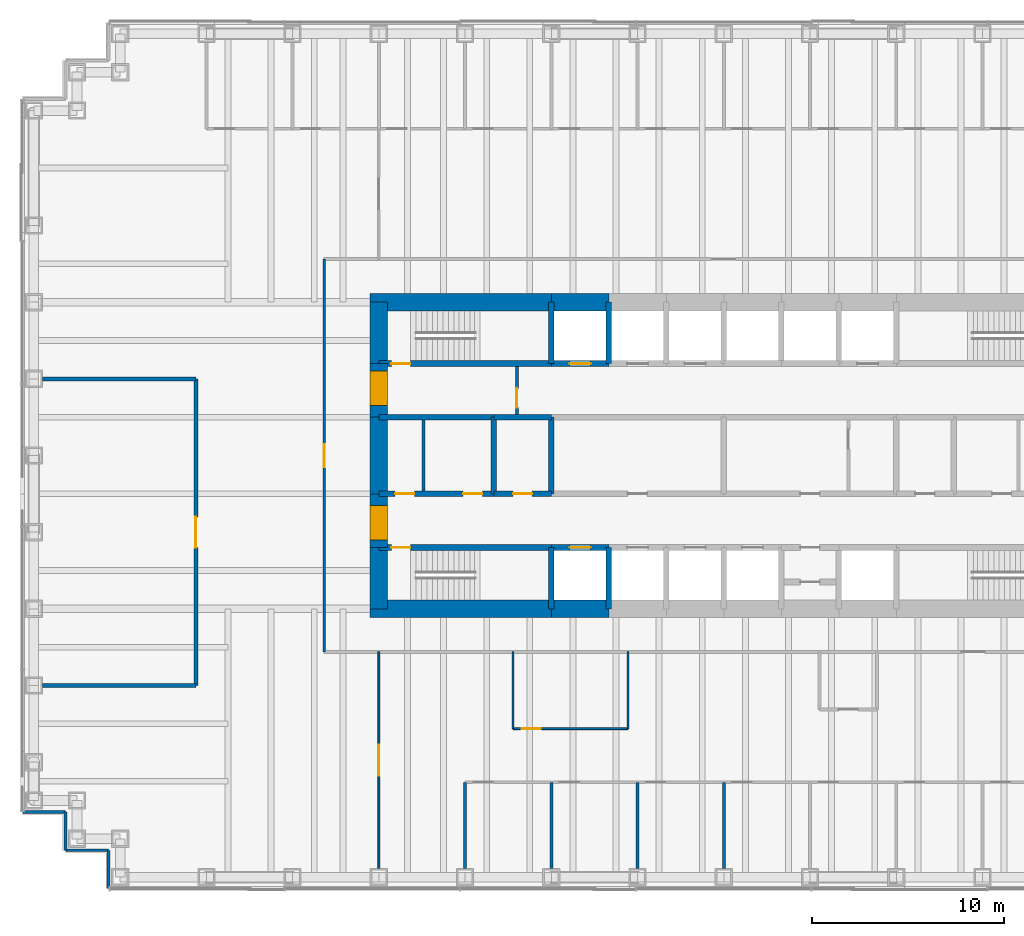
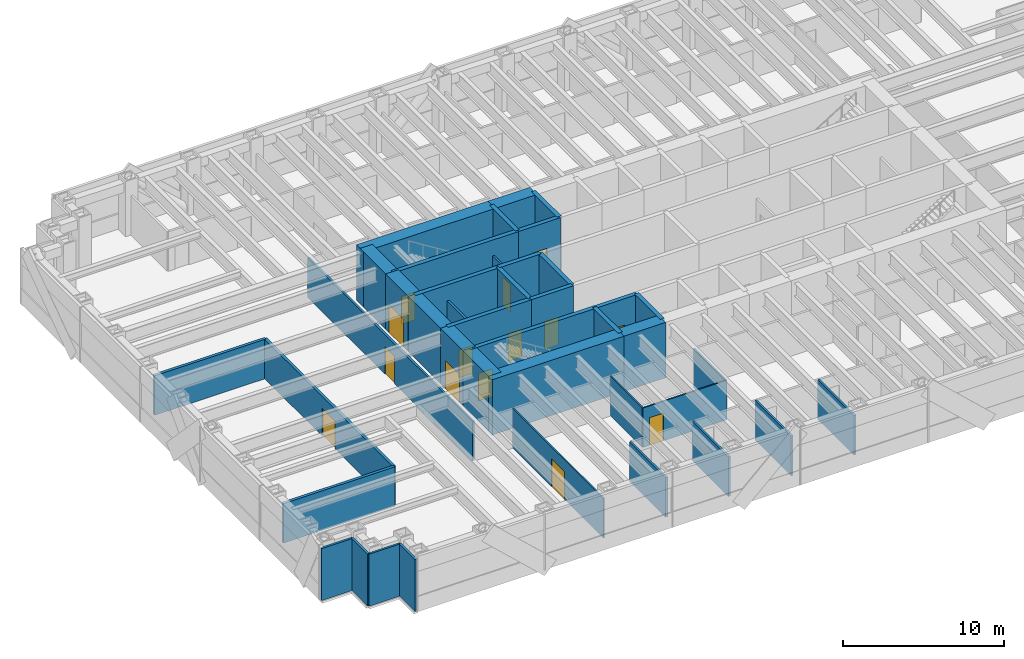
# One storey, part 11 of 16: 41 walls, 14 doors, 14 openings.
"""IFC4 building model written with IfcOpenShell, lengths in metres."""

from ifc_helpers import new_model, si_unit, direction, frame, frame_2d, origin, place, context, subcontext, project, spatial, rectangle, extrude, material, layer, layer_set, type_object, element, fill, save


model = new_model("IFC4")

# Units and contexts
model_context = context("Model", 3, precision=1e-05, world=origin(), true_north=direction((0.0, 1.0)))
body_context = subcontext(model_context, "Body", "Model", "MODEL_VIEW")
ifc_project = project(units=[si_unit("LENGTHUNIT", "METRE"), si_unit("AREAUNIT", "SQUARE_METRE"), si_unit("VOLUMEUNIT", "CUBIC_METRE"), si_unit("PLANEANGLEUNIT", "RADIAN"), si_unit("MASSUNIT", "GRAM", prefix="KILO")], contexts=[model_context])

# Site, building, storey
site_placement = place(None, origin())
site = spatial("IfcSite", under=ifc_project, at=site_placement, CompositionType="ELEMENT")
building_placement = place(site_placement, origin())
building = spatial("IfcBuilding", under=site, at=building_placement, Name="Rheinbord Bourse Tower", CompositionType="ELEMENT")
storey_placement = place(building_placement, frame((0.0, 0.0, 176.10009765625)))
storey = spatial("IfcBuildingStorey", under=building, at=storey_placement, Name="L39", CompositionType="ELEMENT", Elevation=176.10009765625)

# Walls
ifc_material_1 = material(Name="Acoustic gypsum board partition", Category="gypsum board")
ifc_layer_1 = layer(ifc_material_1, 0.199951171875)
ifc_layer_set_1 = layer_set([ifc_layer_1], Name="ACOUSTIC PARTITION 200")
wall_type_1 = type_object("IfcWallType", Name="ACOUSTIC PARTITION 200", PredefinedType="PARTITIONING", material=ifc_layer_set_1)
for number, where, z_axis, x_axis, name in (
    (1, (0.449951171875, 12.0, 0.0), (0.0, 0.0, 1.0), (1.0, 0.0, 0.0), "Partition L39-04"),
    (2, (0.449951171875, 28.0, 0.0), (0.0, 0.0, 1.0), (1.0, 0.0, 0.0), "Partition L39-10"),
):
    element("IfcWall", number, at=place(storey_placement, frame(where, z_axis=z_axis, x_axis=x_axis)), inside=storey, type_object=wall_type_1, Name=name, PredefinedType="PARTITIONING", context=body_context, shape_type="SweptSolid", body=[
        extrude(rectangle(XDim=8.0, YDim=0.199951171875, at=frame_2d((4.0, 0.0))), origin(), (0.0, 0.0, 1.0), 3.0),
    ])

# Wall, opening, door
wall_1_placement = place(storey_placement, frame((8.449951171875, 12.0, 0.0), z_axis=(0.0, 0.0, 1.0), x_axis=(0.0, 1.0, 0.0)))
wall_1 = element("IfcWall", 3, at=wall_1_placement, inside=storey, type_object=wall_type_1, Name="Partition L39-15", PredefinedType="PARTITIONING", context=body_context, shape_type="SweptSolid", body=[
    extrude(rectangle(XDim=16.0, YDim=0.199951171875, at=frame_2d((8.0, 0.0))), origin(), (0.0, 0.0, 1.0), 3.0),
])
opening_1_placement = place(wall_1_placement, frame((7.199951171875, 0.0, 0.0)))
opening_1 = element("IfcOpeningElement", 4, at=opening_1_placement, cuts=wall_1, Name="Opening 39D12", PredefinedType="OPENING", context=body_context, shape_type="SweptSolid", body=[
    extrude(rectangle(XDim=1.60009765625, YDim=2.10009765625, at=frame_2d((0.800048828125, 1.050048828125))), frame((0.0, 0.10986328125, 0.0), z_axis=(0.0, -1.0, 0.0), x_axis=(1.0, 0.0, 0.0)), (0.0, 0.0, 1.0), 0.219970703125),
])
ifc_material_2 = material(Name="Timber door", Category="wood")
door_type_1 = type_object("IfcDoorType", Name="DOUBLE ROOM DOOR 1600", OperationType="DOUBLE_DOOR_DOUBLE_SWING", PredefinedType="DOOR", material=ifc_material_2)
door_1_placement = place(opening_1_placement, origin())
door_1 = element("IfcDoor", 5, at=door_1_placement, inside=storey, type_object=door_type_1, Name="Hearing room door L39", OperationType="SINGLE_SWING_LEFT", OverallHeight=2.10009765625, OverallWidth=1.60009765625, PredefinedType="DOOR", context=body_context, shape_type="SweptSolid", body=[
    extrude(rectangle(XDim=1.60009765625, YDim=2.10009765625, at=frame_2d((0.800048828125, 1.050048828125))), frame((0.0, 0.02490234375, 0.0), z_axis=(0.0, -1.0, 0.0), x_axis=(1.0, 0.0, 0.0)), (0.0, 0.0, 1.0), 0.050048828125),
])
fill(opening_1, door_1)

ifc_material_3 = material(Name="Concrete C50/60", Category="concrete")
ifc_layer_2 = layer(ifc_material_3, 0.300048828125)
ifc_layer_set_2 = layer_set([ifc_layer_2], Name="CORE INNER WALL 300")
wall_type_2 = type_object("IfcWallType", Name="CORE INNER WALL 300", PredefinedType="SOLIDWALL", material=ifc_layer_set_2)
wall_2_placement = place(storey_placement, frame((18.0, 19.199951171875, 0.0), z_axis=(0.0, 0.0, 1.0), x_axis=(1.0, 0.0, 0.0)))
wall_2 = element("IfcWall", 6, at=wall_2_placement, inside=storey, type_object=wall_type_2, Name="Core wall A1 L39", PredefinedType="SOLIDWALL", context=body_context, shape_type="SweptSolid", body=[
    extrude(rectangle(XDim=9.0, YDim=0.300048828125, at=frame_2d((4.5, 0.0))), origin(), (0.0, 0.0, 1.0), 4.199951171875),
])
opening_2_placement = place(wall_2_placement, frame((0.64990234375, 0.0, 0.0)))
opening_2 = element("IfcOpeningElement", 7, at=opening_2_placement, cuts=wall_2, Name="Opening 3910", PredefinedType="OPENING", context=body_context, shape_type="SweptSolid", body=[
    extrude(rectangle(XDim=1.0, YDim=2.10009765625, at=frame_2d((0.5, 1.050048828125))), frame((0.0, 0.159912109375, 0.0), z_axis=(0.0, -1.0, 0.0), x_axis=(1.0, 0.0, 0.0)), (0.0, 0.0, 1.0), 0.320068359375),
])
ifc_material_4 = material(Name="Steel door", Category="steel")
door_type_2 = type_object("IfcDoorType", Name="DOOR 1000 EI30", OperationType="SINGLE_SWING_LEFT", PredefinedType="DOOR", material=ifc_material_4)
door_2_placement = place(opening_2_placement, origin())
door_2 = element("IfcDoor", 8, at=door_2_placement, inside=storey, type_object=door_type_2, Name="Stair door ST1 L39", OperationType="SINGLE_SWING_LEFT", OverallHeight=2.10009765625, OverallWidth=1.0, PredefinedType="DOOR", context=body_context, shape_type="SweptSolid", body=[
    extrude(rectangle(XDim=1.0, YDim=2.10009765625, at=frame_2d((0.5, 1.050048828125))), frame((0.0, 0.02490234375, 0.0), z_axis=(0.0, -1.0, 0.0), x_axis=(1.0, 0.0, 0.0)), (0.0, 0.0, 1.0), 0.050048828125),
])
fill(opening_2, door_2)

wall_3_placement = place(storey_placement, frame((27.0, 19.199951171875, 0.0), z_axis=(0.0, 0.0, 1.0), x_axis=(1.0, 0.0, 0.0)))
wall_3 = element("IfcWall", 9, at=wall_3_placement, inside=storey, type_object=wall_type_2, Name="Core wall A2 L39", PredefinedType="SOLIDWALL", context=body_context, shape_type="SweptSolid", body=[
    extrude(rectangle(XDim=3.0, YDim=0.300048828125, at=frame_2d((1.5, 0.0))), origin(), (0.0, 0.0, 1.0), 4.199951171875),
])
opening_3_placement = place(wall_3_placement, frame((0.949951171875, 0.0, 0.0)))
opening_3 = element("IfcOpeningElement", 10, at=opening_3_placement, cuts=wall_3, Name="Opening FL1", PredefinedType="OPENING", context=body_context, shape_type="SweptSolid", body=[
    extrude(rectangle(XDim=1.10009765625, YDim=2.199951171875, at=frame_2d((0.550048828125, 1.10009765625))), frame((0.0, 0.159912109375, 0.0), z_axis=(0.0, -1.0, 0.0), x_axis=(1.0, 0.0, 0.0)), (0.0, 0.0, 1.0), 0.320068359375),
])
ifc_material_5 = material(Name="Steel landing door", Category="steel")
door_type_3 = type_object("IfcDoorType", Name="LIFT LANDING DOOR 1100", OperationType="DOUBLE_DOOR_SLIDING", PredefinedType="USERDEFINED", material=ifc_material_5)
door_3_placement = place(opening_3_placement, origin())
door_3 = element("IfcDoor", 11, at=door_3_placement, inside=storey, type_object=door_type_3, Name="Lift landing door FL1 L39", ObjectType="LIFT LANDING DOOR", OperationType="DOUBLE_DOOR_SLIDING", OverallHeight=2.199951171875, OverallWidth=1.10009765625, PredefinedType="USERDEFINED", context=body_context, shape_type="SweptSolid", body=[
    extrude(rectangle(XDim=1.10009765625, YDim=2.199951171875, at=frame_2d((0.550048828125, 1.10009765625))), frame((0.0, 0.02490234375, 0.0), z_axis=(0.0, -1.0, 0.0), x_axis=(1.0, 0.0, 0.0)), (0.0, 0.0, 1.0), 0.050048828125),
])
fill(opening_3, door_3)

wall_4_placement = place(storey_placement, frame((18.0, 28.800048828125, 0.0), z_axis=(0.0, 0.0, 1.0), x_axis=(1.0, 0.0, 0.0)))
wall_4 = element("IfcWall", 12, at=wall_4_placement, inside=storey, type_object=wall_type_2, Name="Core wall B1 L39", PredefinedType="SOLIDWALL", context=body_context, shape_type="SweptSolid", body=[
    extrude(rectangle(XDim=9.0, YDim=0.300048828125, at=frame_2d((4.5, 0.0))), origin(), (0.0, 0.0, 1.0), 4.199951171875),
])
opening_4_placement = place(wall_4_placement, frame((0.64990234375, 0.0, 0.0)))
opening_4 = element("IfcOpeningElement", 13, at=opening_4_placement, cuts=wall_4, Name="Opening 3920", PredefinedType="OPENING", context=body_context, shape_type="SweptSolid", body=[
    extrude(rectangle(XDim=1.0, YDim=2.10009765625, at=frame_2d((0.5, 1.050048828125))), frame((0.0, 0.159912109375, 0.0), z_axis=(0.0, -1.0, 0.0), x_axis=(1.0, 0.0, 0.0)), (0.0, 0.0, 1.0), 0.320068359375),
])
door_4_placement = place(opening_4_placement, origin())
door_4 = element("IfcDoor", 14, at=door_4_placement, inside=storey, type_object=door_type_2, Name="Stair door ST2 L39", OperationType="SINGLE_SWING_LEFT", OverallHeight=2.10009765625, OverallWidth=1.0, PredefinedType="DOOR", context=body_context, shape_type="SweptSolid", body=[
    extrude(rectangle(XDim=1.0, YDim=2.10009765625, at=frame_2d((0.5, 1.050048828125))), frame((0.0, 0.02490234375, 0.0), z_axis=(0.0, -1.0, 0.0), x_axis=(1.0, 0.0, 0.0)), (0.0, 0.0, 1.0), 0.050048828125),
])
fill(opening_4, door_4)

wall_5_placement = place(storey_placement, frame((27.0, 28.800048828125, 0.0), z_axis=(0.0, 0.0, 1.0), x_axis=(1.0, 0.0, 0.0)))
wall_5 = element("IfcWall", 15, at=wall_5_placement, inside=storey, type_object=wall_type_2, Name="Core wall B2 L39", PredefinedType="SOLIDWALL", context=body_context, shape_type="SweptSolid", body=[
    extrude(rectangle(XDim=3.0, YDim=0.300048828125, at=frame_2d((1.5, 0.0))), origin(), (0.0, 0.0, 1.0), 4.199951171875),
])
opening_5_placement = place(wall_5_placement, frame((0.949951171875, 0.0, 0.0)))
opening_5 = element("IfcOpeningElement", 16, at=opening_5_placement, cuts=wall_5, Name="Opening GL1", PredefinedType="OPENING", context=body_context, shape_type="SweptSolid", body=[
    extrude(rectangle(XDim=1.10009765625, YDim=2.199951171875, at=frame_2d((0.550048828125, 1.10009765625))), frame((0.0, 0.159912109375, 0.0), z_axis=(0.0, -1.0, 0.0), x_axis=(1.0, 0.0, 0.0)), (0.0, 0.0, 1.0), 0.320068359375),
])
door_5_placement = place(opening_5_placement, origin())
door_5 = element("IfcDoor", 17, at=door_5_placement, inside=storey, type_object=door_type_3, Name="Lift landing door GL1 L39", ObjectType="LIFT LANDING DOOR", OperationType="DOUBLE_DOOR_SLIDING", OverallHeight=2.199951171875, OverallWidth=1.10009765625, PredefinedType="USERDEFINED", context=body_context, shape_type="SweptSolid", body=[
    extrude(rectangle(XDim=1.10009765625, YDim=2.199951171875, at=frame_2d((0.550048828125, 1.10009765625))), frame((0.0, 0.02490234375, 0.0), z_axis=(0.0, -1.0, 0.0), x_axis=(1.0, 0.0, 0.0)), (0.0, 0.0, 1.0), 0.050048828125),
])
fill(opening_5, door_5)

# Wall, openings, doors
wall_6_placement = place(storey_placement, frame((18.0, 22.0, 0.0), z_axis=(0.0, 0.0, 1.0), x_axis=(1.0, 0.0, 0.0)))
wall_6 = element("IfcWall", 18, at=wall_6_placement, inside=storey, type_object=wall_type_2, Name="Core wall C1 L39", PredefinedType="SOLIDWALL", context=body_context, shape_type="SweptSolid", body=[
    extrude(rectangle(XDim=6.0, YDim=0.300048828125, at=frame_2d((3.0, 0.0))), origin(), (0.0, 0.0, 1.0), 4.199951171875),
])
opening_6_placement = place(wall_6_placement, frame((4.39990234375, 0.0, 0.0)))
opening_6 = element("IfcOpeningElement", 19, at=opening_6_placement, cuts=wall_6, Name="Opening 39R1", PredefinedType="OPENING", context=body_context, shape_type="SweptSolid", body=[
    extrude(rectangle(XDim=1.0, YDim=2.10009765625, at=frame_2d((0.5, 1.050048828125))), frame((0.0, 0.159912109375, 0.0), z_axis=(0.0, -1.0, 0.0), x_axis=(1.0, 0.0, 0.0)), (0.0, 0.0, 1.0), 0.320068359375),
])
opening_7_placement = place(wall_6_placement, frame((0.85009765625, 0.0, 0.0)))
opening_7 = element("IfcOpeningElement", 20, at=opening_7_placement, cuts=wall_6, Name="Opening 39R9", PredefinedType="OPENING", context=body_context, shape_type="SweptSolid", body=[
    extrude(rectangle(XDim=1.0, YDim=2.10009765625, at=frame_2d((0.5, 1.050048828125))), frame((0.0, 0.159912109375, 0.0), z_axis=(0.0, -1.0, 0.0), x_axis=(1.0, 0.0, 0.0)), (0.0, 0.0, 1.0), 0.320068359375),
])
door_6_placement = place(opening_7_placement, origin())
door_6 = element("IfcDoor", 21, at=door_6_placement, inside=storey, type_object=door_type_2, Name="Staff shower door L39", OperationType="SINGLE_SWING_LEFT", OverallHeight=2.10009765625, OverallWidth=1.0, PredefinedType="DOOR", context=body_context, shape_type="SweptSolid", body=[
    extrude(rectangle(XDim=1.0, YDim=2.10009765625, at=frame_2d((0.5, 1.050048828125))), frame((0.0, 0.02490234375, 0.0), z_axis=(0.0, -1.0, 0.0), x_axis=(1.0, 0.0, 0.0)), (0.0, 0.0, 1.0), 0.050048828125),
])
fill(opening_7, door_6)
ifc_material_6 = material(Name="Timber door", Category="wood")
door_type_4 = type_object("IfcDoorType", Name="DOOR 1000 WC", OperationType="SINGLE_SWING_LEFT", PredefinedType="DOOR", material=ifc_material_6)
door_7_placement = place(opening_6_placement, origin())
door_7 = element("IfcDoor", 22, at=door_7_placement, inside=storey, type_object=door_type_4, Name="WC men door L39", OperationType="SINGLE_SWING_RIGHT", OverallHeight=2.10009765625, OverallWidth=1.0, PredefinedType="DOOR", context=body_context, shape_type="SweptSolid", body=[
    extrude(rectangle(XDim=1.0, YDim=2.10009765625, at=frame_2d((0.5, 1.050048828125))), frame((0.0, 0.02490234375, 0.0), z_axis=(0.0, -1.0, 0.0), x_axis=(1.0, 0.0, 0.0)), (0.0, 0.0, 1.0), 0.050048828125),
])
fill(opening_6, door_7)

# Wall, opening, door
wall_7_placement = place(storey_placement, frame((24.0, 22.0, 0.0), z_axis=(0.0, 0.0, 1.0), x_axis=(1.0, 0.0, 0.0)))
wall_7 = element("IfcWall", 23, at=wall_7_placement, inside=storey, type_object=wall_type_2, Name="Core wall C2 L39", PredefinedType="SOLIDWALL", context=body_context, shape_type="SweptSolid", body=[
    extrude(rectangle(XDim=3.0, YDim=0.300048828125, at=frame_2d((1.5, 0.0))), origin(), (0.0, 0.0, 1.0), 4.199951171875),
])
opening_8_placement = place(wall_7_placement, frame((1.0, 0.0, 0.0)))
opening_8 = element("IfcOpeningElement", 24, at=opening_8_placement, cuts=wall_7, Name="Opening 39R2", PredefinedType="OPENING", context=body_context, shape_type="SweptSolid", body=[
    extrude(rectangle(XDim=1.0, YDim=2.10009765625, at=frame_2d((0.5, 1.050048828125))), frame((0.0, 0.159912109375, 0.0), z_axis=(0.0, -1.0, 0.0), x_axis=(1.0, 0.0, 0.0)), (0.0, 0.0, 1.0), 0.320068359375),
])
door_8_placement = place(opening_8_placement, origin())
door_8 = element("IfcDoor", 25, at=door_8_placement, inside=storey, type_object=door_type_4, Name="Accessible WC door L39", OperationType="SINGLE_SWING_LEFT", OverallHeight=2.10009765625, OverallWidth=1.0, PredefinedType="DOOR", context=body_context, shape_type="SweptSolid", body=[
    extrude(rectangle(XDim=1.0, YDim=2.10009765625, at=frame_2d((0.5, 1.050048828125))), frame((0.0, 0.02490234375, 0.0), z_axis=(0.0, -1.0, 0.0), x_axis=(1.0, 0.0, 0.0)), (0.0, 0.0, 1.0), 0.050048828125),
])
fill(opening_8, door_8)

# Walls
wall_8_placement = place(storey_placement, frame((18.0, 26.0, 0.0), z_axis=(0.0, 0.0, 1.0), x_axis=(1.0, 0.0, 0.0)))
element("IfcWall", 26, at=wall_8_placement, inside=storey, type_object=wall_type_2, Name="Core wall D1 L39", PredefinedType="SOLIDWALL", context=body_context, shape_type="SweptSolid", body=[
    extrude(rectangle(XDim=6.0, YDim=0.300048828125, at=frame_2d((3.0, 0.0))), origin(), (0.0, 0.0, 1.0), 4.199951171875),
])
wall_9_placement = place(storey_placement, frame((24.0, 26.0, 0.0), z_axis=(0.0, 0.0, 1.0), x_axis=(1.0, 0.0, 0.0)))
element("IfcWall", 27, at=wall_9_placement, inside=storey, type_object=wall_type_2, Name="Core wall D2 L39", PredefinedType="SOLIDWALL", context=body_context, shape_type="SweptSolid", body=[
    extrude(rectangle(XDim=3.0, YDim=0.300048828125, at=frame_2d((1.5, 0.0))), origin(), (0.0, 0.0, 1.0), 4.199951171875),
])
for number, where, z_axis, x_axis, name in (
    (28, (27.0, 16.0, 0.0), (0.0, 0.0, 1.0), (0.0, 1.0, 0.0), "Core wall SX27 L39"),
    (29, (27.0, 28.800048828125, 0.0), (0.0, 0.0, 1.0), (0.0, 1.0, 0.0), "Core wall NX27 L39"),
    (30, (30.0, 16.0, 0.0), (0.0, 0.0, 1.0), (0.0, 1.0, 0.0), "Core wall SX30 L39"),
    (31, (30.0, 28.800048828125, 0.0), (0.0, 0.0, 1.0), (0.0, 1.0, 0.0), "Core wall NX30 L39"),
):
    element("IfcWall", number, at=place(storey_placement, frame(where, z_axis=z_axis, x_axis=x_axis)), inside=storey, type_object=wall_type_2, Name=name, PredefinedType="SOLIDWALL", context=body_context, shape_type="SweptSolid", body=[
        extrude(rectangle(XDim=3.199951171875, YDim=0.300048828125, at=frame_2d((1.60009765625, 0.0))), origin(), (0.0, 0.0, 1.0), 4.199951171875),
    ])
for number, where, z_axis, x_axis, name in (
    (32, (24.0, 22.0, 0.0), (0.0, 0.0, 1.0), (0.0, 1.0, 0.0), "Core wall MX24 L39"),
    (33, (27.0, 22.0, 0.0), (0.0, 0.0, 1.0), (0.0, 1.0, 0.0), "Core wall MX27 L39"),
):
    element("IfcWall", number, at=place(storey_placement, frame(where, z_axis=z_axis, x_axis=x_axis)), inside=storey, type_object=wall_type_2, Name=name, PredefinedType="SOLIDWALL", context=body_context, shape_type="SweptSolid", body=[
        extrude(rectangle(XDim=4.0, YDim=0.300048828125, at=frame_2d((2.0, 0.0))), origin(), (0.0, 0.0, 1.0), 4.199951171875),
    ])
ifc_material_7 = material(Name="Gypsum board fire partition", Category="gypsum board")
ifc_layer_3 = layer(ifc_material_7, 0.14990234375)
ifc_layer_set_3 = layer_set([ifc_layer_3], Name="CORE PARTITION 150 EI30")
wall_type_3 = type_object("IfcWallType", Name="CORE PARTITION 150 EI30", PredefinedType="PARTITIONING", material=ifc_layer_set_3)
wall_10_placement = place(storey_placement, frame((20.324951171875, 22.14990234375, 0.0), z_axis=(0.0, 0.0, 1.0), x_axis=(0.0, 1.0, 0.0)))
element("IfcWall", 34, at=wall_10_placement, inside=storey, type_object=wall_type_3, Name="Core partition L39-2", PredefinedType="PARTITIONING", context=body_context, shape_type="SweptSolid", body=[
    extrude(rectangle(XDim=3.7001953125, YDim=0.14990234375, at=frame_2d((1.85009765625, 0.0))), origin(), (0.0, 0.0, 1.0), 3.0),
])

# Wall, opening, door
wall_11_placement = place(storey_placement, frame((25.199951171875, 26.14990234375, 0.0), z_axis=(0.0, 0.0, 1.0), x_axis=(0.0, 1.0, 0.0)))
wall_11 = element("IfcWall", 35, at=wall_11_placement, inside=storey, type_object=wall_type_3, Name="Core partition L39-5", PredefinedType="PARTITIONING", context=body_context, shape_type="SweptSolid", body=[
    extrude(rectangle(XDim=2.5, YDim=0.14990234375, at=frame_2d((1.25, 0.0))), origin(), (0.0, 0.0, 1.0), 3.0),
])
opening_9_placement = place(wall_11_placement, frame((0.35009765625, 0.0, 0.0)))
opening_9 = element("IfcOpeningElement", 36, at=opening_9_placement, cuts=wall_11, Name="Opening 39L6", PredefinedType="OPENING", context=body_context, shape_type="SweptSolid", body=[
    extrude(rectangle(XDim=1.0, YDim=2.10009765625, at=frame_2d((0.5, 1.050048828125))), frame((0.0, 0.0849609375, 0.0), z_axis=(0.0, -1.0, 0.0), x_axis=(1.0, 0.0, 0.0)), (0.0, 0.0, 1.0), 0.169921875),
])
door_9_placement = place(opening_9_placement, origin())
door_9 = element("IfcDoor", 37, at=door_9_placement, inside=storey, type_object=door_type_2, Name="Stair lobby door L39", OperationType="SINGLE_SWING_LEFT", OverallHeight=2.10009765625, OverallWidth=1.0, PredefinedType="DOOR", context=body_context, shape_type="SweptSolid", body=[
    extrude(rectangle(XDim=1.0, YDim=2.10009765625, at=frame_2d((0.5, 1.050048828125))), frame((0.0, 0.02490234375, 0.0), z_axis=(0.0, -1.0, 0.0), x_axis=(1.0, 0.0, 0.0)), (0.0, 0.0, 1.0), 0.050048828125),
])
fill(opening_9, door_9)

# Walls
ifc_material_8 = material(Name="Concrete C50/60", Category="concrete")
ifc_layer_4 = layer(ifc_material_8, 0.89990234375)
ifc_layer_set_4 = layer_set([ifc_layer_4], Name="CORE WALL 900")
wall_type_4 = type_object("IfcWallType", Name="CORE WALL 900", PredefinedType="SHEAR", material=ifc_layer_set_4)
wall_12_placement = place(storey_placement, frame((17.550048828125, 16.0, 0.0), z_axis=(0.0, 0.0, 1.0), x_axis=(1.0, 0.0, 0.0)))
element("IfcWall", 38, at=wall_12_placement, inside=storey, type_object=wall_type_4, Name="Core wall S1 L39", PredefinedType="SHEAR", context=body_context, shape_type="SweptSolid", body=[
    extrude(rectangle(XDim=9.449951171875, YDim=0.89990234375, at=frame_2d((4.72509765625, 0.0))), origin(), (0.0, 0.0, 1.0), 4.199951171875),
])
for number, where, z_axis, x_axis, name in (
    (39, (27.0, 16.0, 0.0), (0.0, 0.0, 1.0), (1.0, 0.0, 0.0), "Core wall S2 L39"),
    (40, (30.0, 32.0, 0.0), (0.0, 0.0, 1.0), (-1.0, 0.0, 0.0), "Core wall N7 L39"),
):
    element("IfcWall", number, at=place(storey_placement, frame(where, z_axis=z_axis, x_axis=x_axis)), inside=storey, type_object=wall_type_4, Name=name, PredefinedType="SHEAR", context=body_context, shape_type="SweptSolid", body=[
        extrude(rectangle(XDim=3.0, YDim=0.89990234375, at=frame_2d((1.5, 0.0))), origin(), (0.0, 0.0, 1.0), 4.199951171875),
    ])
wall_13_placement = place(storey_placement, frame((27.0, 32.0, 0.0), z_axis=(0.0, 0.0, 1.0), x_axis=(-1.0, 0.0, 0.0)))
element("IfcWall", 41, at=wall_13_placement, inside=storey, type_object=wall_type_4, Name="Core wall N8 L39", PredefinedType="SHEAR", context=body_context, shape_type="SweptSolid", body=[
    extrude(rectangle(XDim=9.449951171875, YDim=0.89990234375, at=frame_2d((4.72509765625, 0.0))), origin(), (0.0, 0.0, 1.0), 4.199951171875),
])
wall_14_placement = place(storey_placement, frame((18.0, 32.0, 0.0), z_axis=(0.0, 0.0, 1.0), x_axis=(0.0, -1.0, 0.0)))
element("IfcWall", 42, at=wall_14_placement, inside=storey, type_object=wall_type_4, Name="Core wall W1 L39", PredefinedType="SHEAR", context=body_context, shape_type="SweptSolid", body=[
    extrude(rectangle(XDim=3.199951171875, YDim=0.89990234375, at=frame_2d((1.60009765625, 0.0))), origin(), (0.0, 0.0, 1.0), 4.199951171875),
])

# Wall, opening, door
wall_15_placement = place(storey_placement, frame((18.0, 28.800048828125, 0.0), z_axis=(0.0, 0.0, 1.0), x_axis=(0.0, -1.0, 0.0)))
wall_15 = element("IfcWall", 43, at=wall_15_placement, inside=storey, type_object=wall_type_4, Name="Core wall W2 L39", PredefinedType="SHEAR", context=body_context, shape_type="SweptSolid", body=[
    extrude(rectangle(XDim=2.800048828125, YDim=0.89990234375, at=frame_2d((1.39990234375, 0.0))), origin(), (0.0, 0.0, 1.0), 4.199951171875),
])
opening_10_placement = place(wall_15_placement, frame((0.39990234375, 0.0, 0.0)))
opening_10 = element("IfcOpeningElement", 44, at=opening_10_placement, cuts=wall_15, Name="Opening 39L2", PredefinedType="OPENING", context=body_context, shape_type="SweptSolid", body=[
    extrude(rectangle(XDim=1.800048828125, YDim=2.10009765625, at=frame_2d((0.89990234375, 1.050048828125))), frame((0.0, 0.4599609375, 0.0), z_axis=(0.0, -1.0, 0.0), x_axis=(1.0, 0.0, 0.0)), (0.0, 0.0, 1.0), 0.919921875),
])
ifc_material_9 = material(Name="Steel door", Category="steel")
door_type_5 = type_object("IfcDoorType", Name="DOOR 1800 EI30 DOUBLE", OperationType="DOUBLE_DOOR_DOUBLE_SWING", PredefinedType="DOOR", material=ifc_material_9)
door_10_placement = place(opening_10_placement, origin())
door_10 = element("IfcDoor", 45, at=door_10_placement, inside=storey, type_object=door_type_5, Name="Lobby door 2 L39", OperationType="SINGLE_SWING_LEFT", OverallHeight=2.10009765625, OverallWidth=1.800048828125, PredefinedType="DOOR", context=body_context, shape_type="SweptSolid", body=[
    extrude(rectangle(XDim=1.800048828125, YDim=2.10009765625, at=frame_2d((0.89990234375, 1.050048828125))), frame((0.0, 0.44970703125, 0.0), z_axis=(0.0, -1.0, 0.0), x_axis=(1.0, 0.0, 0.0)), (0.0, 0.0, 1.0), 0.8994140625),
])
fill(opening_10, door_10)

# Wall
wall_16_placement = place(storey_placement, frame((18.0, 26.0, 0.0), z_axis=(0.0, 0.0, 1.0), x_axis=(0.0, -1.0, 0.0)))
element("IfcWall", 46, at=wall_16_placement, inside=storey, type_object=wall_type_4, Name="Core wall W3 L39", PredefinedType="SHEAR", context=body_context, shape_type="SweptSolid", body=[
    extrude(rectangle(XDim=4.0, YDim=0.89990234375, at=frame_2d((2.0, 0.0))), origin(), (0.0, 0.0, 1.0), 4.199951171875),
])

# Wall, opening, door
wall_17_placement = place(storey_placement, frame((18.0, 22.0, 0.0), z_axis=(0.0, 0.0, 1.0), x_axis=(0.0, -1.0, 0.0)))
wall_17 = element("IfcWall", 47, at=wall_17_placement, inside=storey, type_object=wall_type_4, Name="Core wall W4 L39", PredefinedType="SHEAR", context=body_context, shape_type="SweptSolid", body=[
    extrude(rectangle(XDim=2.800048828125, YDim=0.89990234375, at=frame_2d((1.39990234375, 0.0))), origin(), (0.0, 0.0, 1.0), 4.199951171875),
])
opening_11_placement = place(wall_17_placement, frame((0.60009765625, 0.0, 0.0)))
opening_11 = element("IfcOpeningElement", 48, at=opening_11_placement, cuts=wall_17, Name="Opening 39L1", PredefinedType="OPENING", context=body_context, shape_type="SweptSolid", body=[
    extrude(rectangle(XDim=1.800048828125, YDim=2.10009765625, at=frame_2d((0.89990234375, 1.050048828125))), frame((0.0, 0.4599609375, 0.0), z_axis=(0.0, -1.0, 0.0), x_axis=(1.0, 0.0, 0.0)), (0.0, 0.0, 1.0), 0.919921875),
])
door_11_placement = place(opening_11_placement, origin())
door_11 = element("IfcDoor", 49, at=door_11_placement, inside=storey, type_object=door_type_5, Name="Lobby door 1 L39", OperationType="SINGLE_SWING_LEFT", OverallHeight=2.10009765625, OverallWidth=1.800048828125, PredefinedType="DOOR", context=body_context, shape_type="SweptSolid", body=[
    extrude(rectangle(XDim=1.800048828125, YDim=2.10009765625, at=frame_2d((0.89990234375, 1.050048828125))), frame((0.0, 0.44970703125, 0.0), z_axis=(0.0, -1.0, 0.0), x_axis=(1.0, 0.0, 0.0)), (0.0, 0.0, 1.0), 0.8994140625),
])
fill(opening_11, door_11)

# Walls
wall_18_placement = place(storey_placement, frame((18.0, 19.199951171875, 0.0), z_axis=(0.0, 0.0, 1.0), x_axis=(0.0, -1.0, 0.0)))
element("IfcWall", 50, at=wall_18_placement, inside=storey, type_object=wall_type_4, Name="Core wall W5 L39", PredefinedType="SHEAR", context=body_context, shape_type="SweptSolid", body=[
    extrude(rectangle(XDim=3.199951171875, YDim=0.89990234375, at=frame_2d((1.60009765625, 0.0))), origin(), (0.0, 0.0, 1.0), 4.199951171875),
])
ifc_material_10 = material(Name="Black metal rainscreen panel", Category="aluminium")
ifc_layer_5 = layer(ifc_material_10, 0.14990234375)
ifc_layer_set_5 = layer_set([ifc_layer_5], Name="CORNER PIER CLADDING 150")
wall_type_5 = type_object("IfcWallType", Name="CORNER PIER CLADDING 150", PredefinedType="ELEMENTEDWALL", material=ifc_layer_set_5)
wall_19_placement = place(storey_placement, frame((-0.60009765625, 5.39990234375, 0.0), z_axis=(0.0, 0.0, 1.0), x_axis=(1.0, 0.0, 0.0)))
element("IfcWall", 51, at=wall_19_placement, inside=storey, type_object=wall_type_5, Name="Corner pier cladding L39 17", PredefinedType="ELEMENTEDWALL", context=body_context, shape_type="SweptSolid", body=[
    extrude(rectangle(XDim=2.25, YDim=0.14990234375, at=frame_2d((1.125, 0.0))), origin(), (0.0, 0.0, 1.0), 3.949951171875),
])
wall_20_placement = place(storey_placement, frame((1.64990234375, 5.39990234375, 0.0), z_axis=(0.0, 0.0, 1.0), x_axis=(0.0, -1.0, 0.0)))
element("IfcWall", 52, at=wall_20_placement, inside=storey, type_object=wall_type_5, Name="Corner pier cladding L39 18", PredefinedType="ELEMENTEDWALL", context=body_context, shape_type="SweptSolid", body=[
    extrude(rectangle(XDim=2.0, YDim=0.14990234375, at=frame_2d((1.0, 0.0))), origin(), (0.0, 0.0, 1.0), 3.949951171875),
])
wall_21_placement = place(storey_placement, frame((1.64990234375, 3.39990234375, 0.0), z_axis=(0.0, 0.0, 1.0), x_axis=(1.0, 0.0, 0.0)))
element("IfcWall", 53, at=wall_21_placement, inside=storey, type_object=wall_type_5, Name="Corner pier cladding L39 19", PredefinedType="ELEMENTEDWALL", context=body_context, shape_type="SweptSolid", body=[
    extrude(rectangle(XDim=2.25, YDim=0.14990234375, at=frame_2d((1.125, 0.0))), origin(), (0.0, 0.0, 1.0), 3.949951171875),
])
wall_22_placement = place(storey_placement, frame((3.89990234375, 3.39990234375, 0.0), z_axis=(0.0, 0.0, 1.0), x_axis=(0.0, -1.0, 0.0)))
element("IfcWall", 54, at=wall_22_placement, inside=storey, type_object=wall_type_5, Name="Corner pier cladding L39 20", PredefinedType="ELEMENTEDWALL", context=body_context, shape_type="SweptSolid", body=[
    extrude(rectangle(XDim=2.0, YDim=0.14990234375, at=frame_2d((1.0, 0.0))), origin(), (0.0, 0.0, 1.0), 3.949951171875),
])

# Wall, opening, door
ifc_material_11 = material(Name="Gypsum board corridor partition", Category="gypsum board")
ifc_layer_6 = layer(ifc_material_11, 0.14990234375)
ifc_layer_set_6 = layer_set([ifc_layer_6], Name="CORRIDOR PARTITION 150 EI30")
wall_type_6 = type_object("IfcWallType", Name="CORRIDOR PARTITION 150 EI30", PredefinedType="PARTITIONING", material=ifc_layer_set_6)
wall_23_placement = place(storey_placement, frame((15.14990234375, 13.75, 0.0), z_axis=(0.0, 0.0, 1.0), x_axis=(0.0, 1.0, 0.0)))
wall_23 = element("IfcWall", 55, at=wall_23_placement, inside=storey, type_object=wall_type_6, Name="Partition L39-18", PredefinedType="PARTITIONING", context=body_context, shape_type="SweptSolid", body=[
    extrude(rectangle(XDim=20.5, YDim=0.14990234375, at=frame_2d((10.25, 0.0))), origin(), (0.0, 0.0, 1.0), 3.0),
])
opening_12_placement = place(wall_23_placement, frame((9.64990234375, 0.0, 0.0)))
opening_12 = element("IfcOpeningElement", 56, at=opening_12_placement, cuts=wall_23, Name="Opening 39D30", PredefinedType="OPENING", context=body_context, shape_type="SweptSolid", body=[
    extrude(rectangle(XDim=1.199951171875, YDim=2.10009765625, at=frame_2d((0.60009765625, 1.050048828125))), frame((0.0, 0.0849609375, 0.0), z_axis=(0.0, -1.0, 0.0), x_axis=(1.0, 0.0, 0.0)), (0.0, 0.0, 1.0), 0.169921875),
])
ifc_material_12 = material(Name="Timber fire door", Category="wood")
door_type_6 = type_object("IfcDoorType", Name="SUITE ENTRANCE DOOR 1200 EI30", OperationType="SINGLE_SWING_LEFT", PredefinedType="DOOR", material=ifc_material_12)
door_12_placement = place(opening_12_placement, origin())
door_12 = element("IfcDoor", 57, at=door_12_placement, inside=storey, type_object=door_type_6, Name="Suite entrance 1 door L39", OperationType="SINGLE_SWING_LEFT", OverallHeight=2.10009765625, OverallWidth=1.199951171875, PredefinedType="DOOR", context=body_context, shape_type="SweptSolid", body=[
    extrude(rectangle(XDim=1.199951171875, YDim=2.10009765625, at=frame_2d((0.60009765625, 1.050048828125))), frame((0.0, 0.02490234375, 0.0), z_axis=(0.0, -1.0, 0.0), x_axis=(1.0, 0.0, 0.0)), (0.0, 0.0, 1.0), 0.050048828125),
])
fill(opening_12, door_12)

ifc_material_13 = material(Name="Toughened laminated glass partition", Category="glass")
ifc_layer_7 = layer(ifc_material_13, 0.10009765625)
ifc_layer_set_7 = layer_set([ifc_layer_7], Name="GLAZED PARTITION 100")
wall_type_7 = type_object("IfcWallType", Name="GLAZED PARTITION 100", PredefinedType="PARTITIONING", material=ifc_layer_set_7)
wall_24_placement = place(storey_placement, frame((25.0, 9.75, 0.0), z_axis=(0.0, 0.0, 1.0), x_axis=(1.0, 0.0, 0.0)))
wall_24 = element("IfcWall", 58, at=wall_24_placement, inside=storey, type_object=wall_type_7, Name="Partition L39-02", PredefinedType="PARTITIONING", context=body_context, shape_type="SweptSolid", body=[
    extrude(rectangle(XDim=6.0, YDim=0.10009765625, at=frame_2d((3.0, 0.0))), origin(), (0.0, 0.0, 1.0), 3.0),
])
opening_13_placement = place(wall_24_placement, frame((0.449951171875, 0.0, 0.0)))
opening_13 = element("IfcOpeningElement", 59, at=opening_13_placement, cuts=wall_24, Name="Opening 39D08", PredefinedType="OPENING", context=body_context, shape_type="SweptSolid", body=[
    extrude(rectangle(XDim=1.0, YDim=2.10009765625, at=frame_2d((0.5, 1.050048828125))), frame((0.0, 0.06005859375, 0.0), z_axis=(0.0, -1.0, 0.0), x_axis=(1.0, 0.0, 0.0)), (0.0, 0.0, 1.0), 0.1201171875),
])
ifc_material_14 = material(Name="Timber door", Category="wood")
door_type_7 = type_object("IfcDoorType", Name="ROOM DOOR 1000", OperationType="SINGLE_SWING_LEFT", PredefinedType="DOOR", material=ifc_material_14)
door_13_placement = place(opening_13_placement, origin())
door_13 = element("IfcDoor", 60, at=door_13_placement, inside=storey, type_object=door_type_7, Name="Meeting room door L39", OperationType="SINGLE_SWING_LEFT", OverallHeight=2.10009765625, OverallWidth=1.0, PredefinedType="DOOR", context=body_context, shape_type="SweptSolid", body=[
    extrude(rectangle(XDim=1.0, YDim=2.10009765625, at=frame_2d((0.5, 1.050048828125))), frame((0.0, 0.02490234375, 0.0), z_axis=(0.0, -1.0, 0.0), x_axis=(1.0, 0.0, 0.0)), (0.0, 0.0, 1.0), 0.050048828125),
])
fill(opening_13, door_13)

wall_25_placement = place(storey_placement, frame((18.0, 2.449951171875, 0.0), z_axis=(0.0, 0.0, 1.0), x_axis=(0.0, 1.0, 0.0)))
wall_25 = element("IfcWall", 61, at=wall_25_placement, inside=storey, type_object=wall_type_7, Name="Partition L39-19", PredefinedType="PARTITIONING", context=body_context, shape_type="SweptSolid", body=[
    extrude(rectangle(XDim=11.300048828125, YDim=0.10009765625, at=frame_2d((5.64990234375, 0.0))), origin(), (0.0, 0.0, 1.0), 3.0),
])
opening_14_placement = place(wall_25_placement, frame((4.85009765625, 0.0, 0.0)))
opening_14 = element("IfcOpeningElement", 62, at=opening_14_placement, cuts=wall_25, Name="Opening 39D26", PredefinedType="OPENING", context=body_context, shape_type="SweptSolid", body=[
    extrude(rectangle(XDim=1.60009765625, YDim=2.10009765625, at=frame_2d((0.800048828125, 1.050048828125))), frame((0.0, 0.06005859375, 0.0), z_axis=(0.0, -1.0, 0.0), x_axis=(1.0, 0.0, 0.0)), (0.0, 0.0, 1.0), 0.1201171875),
])
door_14_placement = place(opening_14_placement, origin())
door_14 = element("IfcDoor", 63, at=door_14_placement, inside=storey, type_object=door_type_1, Name="Open area door L39", OperationType="SINGLE_SWING_LEFT", OverallHeight=2.10009765625, OverallWidth=1.60009765625, PredefinedType="DOOR", context=body_context, shape_type="SweptSolid", body=[
    extrude(rectangle(XDim=1.60009765625, YDim=2.10009765625, at=frame_2d((0.800048828125, 1.050048828125))), frame((0.0, 0.02490234375, 0.0), z_axis=(0.0, -1.0, 0.0), x_axis=(1.0, 0.0, 0.0)), (0.0, 0.0, 1.0), 0.050048828125),
])
fill(opening_14, door_14)

# Walls
for number, where, z_axis, x_axis, name in (
    (64, (25.0, 9.75, 0.0), (0.0, 0.0, 1.0), (0.0, 1.0, 0.0), "Partition L39-24"),
    (65, (31.0, 9.75, 0.0), (0.0, 0.0, 1.0), (0.0, 1.0, 0.0), "Partition L39-27"),
):
    element("IfcWall", number, at=place(storey_placement, frame(where, z_axis=z_axis, x_axis=x_axis)), inside=storey, type_object=wall_type_7, Name=name, PredefinedType="PARTITIONING", context=body_context, shape_type="SweptSolid", body=[
        extrude(rectangle(XDim=4.0, YDim=0.10009765625, at=frame_2d((2.0, 0.0))), origin(), (0.0, 0.0, 1.0), 3.0),
    ])
ifc_material_15 = material(Name="Gypsum board partition", Category="gypsum board")
ifc_layer_8 = layer(ifc_material_15, 0.14990234375)
ifc_layer_set_8 = layer_set([ifc_layer_8], Name="PARTITION 150")
wall_type_8 = type_object("IfcWallType", Name="PARTITION 150", PredefinedType="PARTITIONING", material=ifc_layer_set_8)
for number, where, z_axis, x_axis, name in (
    (66, (22.5, 2.449951171875, 0.0), (0.0, 0.0, 1.0), (0.0, 1.0, 0.0), "Partition L39-22"),
    (67, (27.0, 2.449951171875, 0.0), (0.0, 0.0, 1.0), (0.0, 1.0, 0.0), "Partition L39-25"),
    (68, (31.5, 2.449951171875, 0.0), (0.0, 0.0, 1.0), (0.0, 1.0, 0.0), "Partition L39-28"),
    (69, (36.0, 2.449951171875, 0.0), (0.0, 0.0, 1.0), (0.0, 1.0, 0.0), "Partition L39-30"),
):
    element("IfcWall", number, at=place(storey_placement, frame(where, z_axis=z_axis, x_axis=x_axis)), inside=storey, type_object=wall_type_8, Name=name, PredefinedType="PARTITIONING", context=body_context, shape_type="SweptSolid", body=[
        extrude(rectangle(XDim=4.5, YDim=0.14990234375, at=frame_2d((2.25, 0.0))), origin(), (0.0, 0.0, 1.0), 3.0),
    ])

save(model, "model.ifc")
